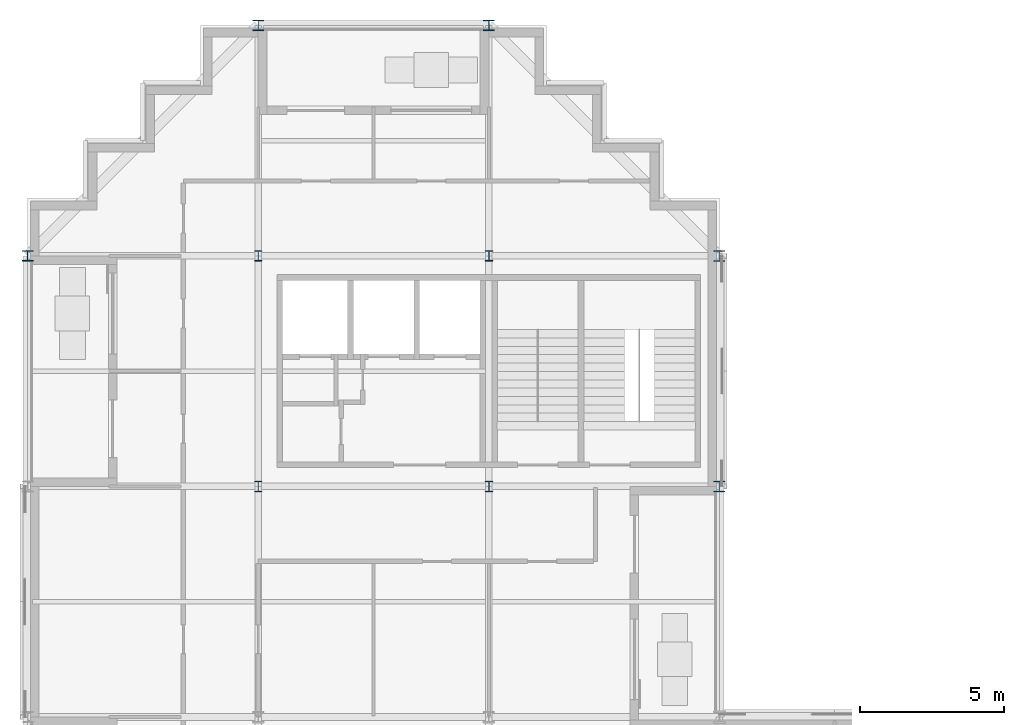
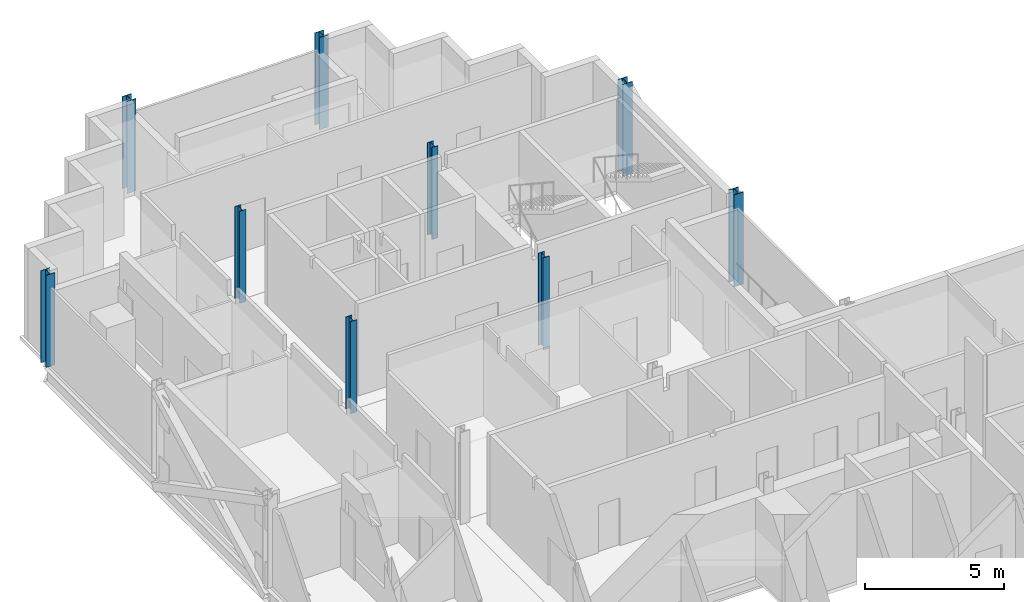
# One storey, part 2 of 13: 9 columns.
"""IFC4 building model written with IfcOpenShell, lengths in metres."""

from ifc_helpers import new_model, si_unit, direction, frame, origin, origin_2d, place, context, subcontext, project, spatial, i_section, extrude, material, material_profile, profile_set, type_object, element, save


model = new_model("IFC4")

# Units and contexts
model_context = context("Model", 3, precision=1e-05, world=origin(), true_north=direction((0.0, 1.0)))
body_context = subcontext(model_context, "Body", "Model", "MODEL_VIEW")
ifc_project = project(units=[si_unit("LENGTHUNIT", "METRE"), si_unit("AREAUNIT", "SQUARE_METRE"), si_unit("VOLUMEUNIT", "CUBIC_METRE"), si_unit("PLANEANGLEUNIT", "RADIAN"), si_unit("MASSUNIT", "GRAM", prefix="KILO")], contexts=[model_context])

# Site, building, storey
site_placement = place(None, origin())
site = spatial("IfcSite", under=ifc_project, at=site_placement, CompositionType="ELEMENT")
building_placement = place(site_placement, origin())
building = spatial("IfcBuilding", under=site, at=building_placement, Name="Immortelle Media Tower", CompositionType="ELEMENT")
storey_placement = place(building_placement, frame((0.0, 0.0, 174.60009765625)))
storey = spatial("IfcBuildingStorey", under=building, at=storey_placement, Name="L36", CompositionType="ELEMENT", Elevation=174.60009765625)

# Columns
ifc_material = material(Name="Steel ASTM A992 Gr 50", Category="steel")
ifc_material_profile_1 = material_profile(ifc_material, i_section(OverallWidth=0.373046875, OverallDepth=0.367919921875, WebThickness=0.014892578125, FlangeThickness=0.02392578125, at=origin_2d()), Name="W14x120")
ifc_profile_set_1 = profile_set([ifc_material_profile_1], Name="Steel ASTM A992 Gr 50")
column_type_1 = type_object("IfcColumnType", Name="W14x120 column", PredefinedType="COLUMN", material=ifc_profile_set_1)
for number, where, z_axis, x_axis, name in (
    (1, (0.0, 40.0, 0.0), (0.0, 0.0, 1.0), (1.0, 0.0, 0.0), "Column 1/F"),
    (2, (8.0, 48.0, 0.0), (0.0, 0.0, 1.0), (1.0, 0.0, 0.0), "Column 2/G"),
    (3, (16.0, 48.0, 0.0), (0.0, 0.0, 1.0), (1.0, 0.0, 0.0), "Column 3/G"),
):
    element("IfcColumn", number, at=place(storey_placement, frame(where, z_axis=z_axis, x_axis=x_axis)), inside=storey, type_object=column_type_1, Name=name, PredefinedType="COLUMN", context=body_context, shape_type="SweptSolid", body=[
        extrude(i_section(OverallWidth=0.373046875, OverallDepth=0.367919921875, WebThickness=0.014892578125, FlangeThickness=0.02392578125, at=origin_2d()), origin(), (0.0, 0.0, 1.0), 4.0498046875),
    ])
ifc_material_profile_2 = material_profile(ifc_material, i_section(OverallWidth=0.39892578125, OverallDepth=0.385986328125, WebThickness=0.02099609375, FlangeThickness=0.032958984375, at=origin_2d()), Name="W14x176")
ifc_profile_set_2 = profile_set([ifc_material_profile_2], Name="Steel ASTM A992 Gr 50")
column_type_2 = type_object("IfcColumnType", Name="W14x176 column", PredefinedType="COLUMN", material=ifc_profile_set_2)
for number, where, z_axis, x_axis, name in (
    (4, (24.0, 32.0, 0.0), (0.0, 0.0, 1.0), (1.0, 0.0, 0.0), "Column 4/E"),
    (5, (24.0, 40.0, 0.0), (0.0, 0.0, 1.0), (1.0, 0.0, 0.0), "Column 4/F"),
):
    element("IfcColumn", number, at=place(storey_placement, frame(where, z_axis=z_axis, x_axis=x_axis)), inside=storey, type_object=column_type_2, Name=name, PredefinedType="COLUMN", context=body_context, shape_type="SweptSolid", body=[
        extrude(i_section(OverallWidth=0.39892578125, OverallDepth=0.385986328125, WebThickness=0.02099609375, FlangeThickness=0.032958984375, at=origin_2d()), origin(), (0.0, 0.0, 1.0), 4.0498046875),
    ])
ifc_material_profile_3 = material_profile(ifc_material, i_section(OverallWidth=0.257080078125, OverallDepth=0.363037109375, WebThickness=0.012939453125, FlangeThickness=0.02197265625, at=origin_2d()), Name="W14x82")
ifc_profile_set_3 = profile_set([ifc_material_profile_3], Name="Steel ASTM A992 Gr 50")
column_type_3 = type_object("IfcColumnType", Name="W14x82 column", PredefinedType="COLUMN", material=ifc_profile_set_3)
for number, where, z_axis, x_axis, name in (
    (6, (8.0, 32.0, 0.0), (0.0, 0.0, 1.0), (1.0, 0.0, 0.0), "Column 2/E"),
    (7, (8.0, 40.0, 0.0), (0.0, 0.0, 1.0), (1.0, 0.0, 0.0), "Column 2/F"),
    (8, (16.0, 32.0, 0.0), (0.0, 0.0, 1.0), (1.0, 0.0, 0.0), "Column 3/E"),
    (9, (16.0, 40.0, 0.0), (0.0, 0.0, 1.0), (1.0, 0.0, 0.0), "Column 3/F"),
):
    element("IfcColumn", number, at=place(storey_placement, frame(where, z_axis=z_axis, x_axis=x_axis)), inside=storey, type_object=column_type_3, Name=name, PredefinedType="COLUMN", context=body_context, shape_type="SweptSolid", body=[
        extrude(i_section(OverallWidth=0.257080078125, OverallDepth=0.363037109375, WebThickness=0.012939453125, FlangeThickness=0.02197265625, at=origin_2d()), origin(), (0.0, 0.0, 1.0), 4.0498046875),
    ])

save(model, "model.ifc")
